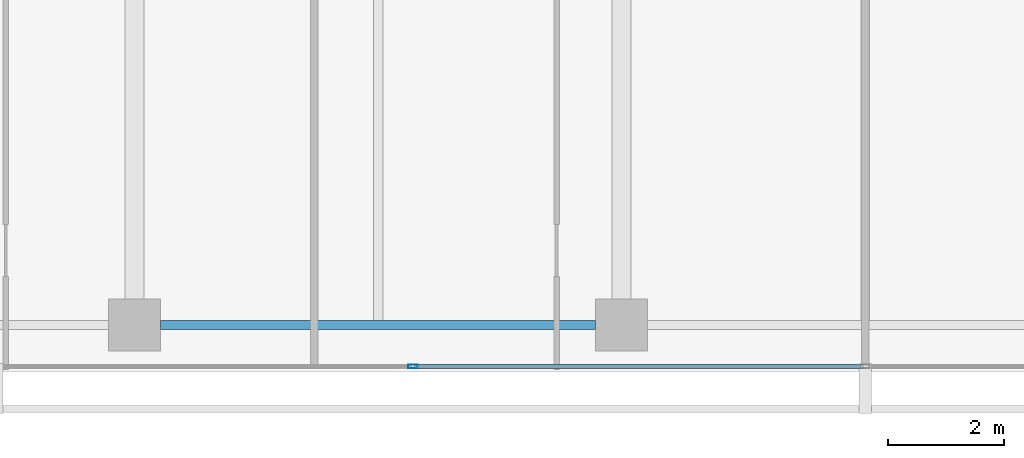
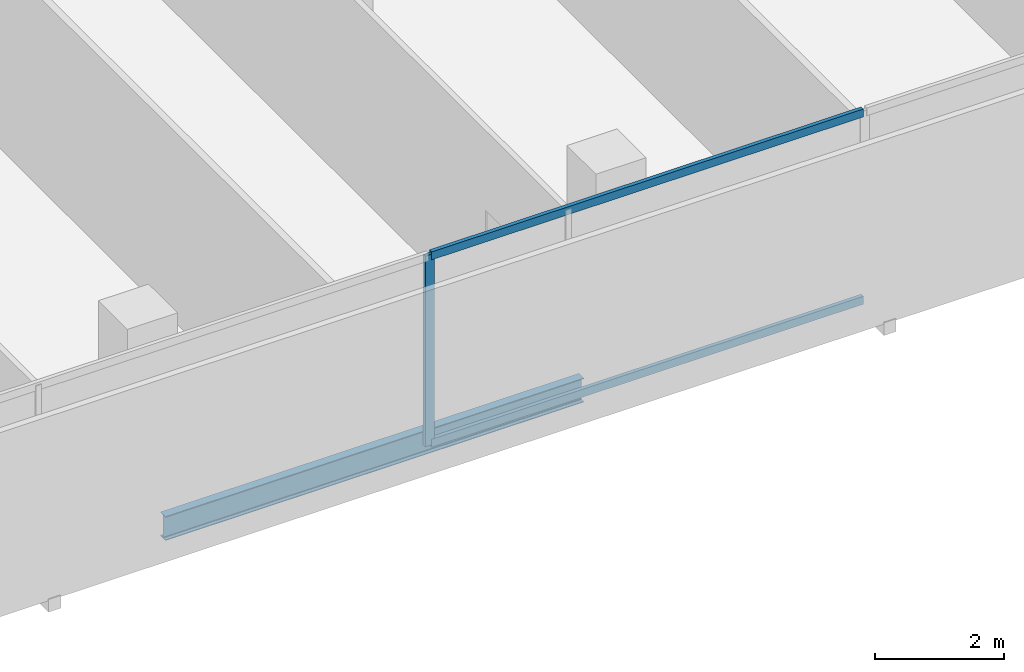
# One storey, part 7 of 40: 3 members, 1 beam, 1 element without a shape of its own.
"""IFC4 building model written with IfcOpenShell, lengths in metres."""

from ifc_helpers import new_model, si_unit, direction, frame, origin, origin_2d, place, context, subcontext, project, spatial, hollow_rectangle, i_section, extrude, material, layer, layer_set, material_profile, profile_set, type_object, element, aggregate, save


model = new_model("IFC4")

# Units and contexts
model_context = context("Model", 3, precision=1e-05, world=origin(), true_north=direction((0.0, 1.0)))
body_context = subcontext(model_context, "Body", "Model", "MODEL_VIEW")
ifc_project = project(units=[si_unit("LENGTHUNIT", "METRE"), si_unit("AREAUNIT", "SQUARE_METRE"), si_unit("VOLUMEUNIT", "CUBIC_METRE"), si_unit("PLANEANGLEUNIT", "RADIAN"), si_unit("MASSUNIT", "GRAM", prefix="KILO")], contexts=[model_context])

# Site, building, storey
site_placement = place(None, origin())
site = spatial("IfcSite", under=ifc_project, at=site_placement, CompositionType="ELEMENT")
building_placement = place(site_placement, origin())
building = spatial("IfcBuilding", under=site, at=building_placement, Name="Maruvema Waterfront Hotel and Observation Tower", CompositionType="ELEMENT")
storey_placement = place(building_placement, frame((0.0, 0.0, 103.949951171875)))
storey = spatial("IfcBuildingStorey", under=building, at=storey_placement, Name="L25", CompositionType="ELEMENT", Elevation=103.949951171875)

# Curtain wall, members
ifc_material_1 = material(Name="Anodised bronze aluminium and solar-control low-E IGU", Category="aluminium")
ifc_layer = layer(ifc_material_1, 0.159912109375, Name="Zone 1 Bronze Inner Thermal Curtain Wall System CW-02")
ifc_layer_set = layer_set([ifc_layer], Name="Anodised bronze aluminium and solar-control low-E IGU")
curtain_wall_type = type_object("IfcCurtainWallType", Name="Zone 1 Bronze Inner Thermal Curtain Wall System CW-02", PredefinedType="USERDEFINED", material=ifc_layer_set)
curtain_wall_placement = place(storey_placement, origin())
curtain_wall = element("IfcCurtainWall", 1, at=curtain_wall_placement, inside=storey, type_object=curtain_wall_type, Name="L25 Curtain Wall CW-L25-S", ObjectType="UNITISED CURTAIN WALL", PredefinedType="USERDEFINED")
ifc_material_2 = material(Name="Anodised architectural bronze aluminium", Category="aluminium")
ifc_material_profile_1 = material_profile(ifc_material_2, hollow_rectangle(XDim=0.070068359375, YDim=0.14990234375, WallThickness=0.00390625, at=origin_2d()), Name="ALU-T70x150")
ifc_profile_set_1 = profile_set([ifc_material_profile_1], Name="Anodised architectural bronze aluminium")
member_type_1 = type_object("IfcMemberType", Name="Curtain Wall Horizontal Transom ALU-T70x150", PredefinedType="USERDEFINED", material=ifc_profile_set_1)
member_1_placement = place(storey_placement, frame((30.030029296875, 0.080078125, 0.030029296875), z_axis=(1.0, 0.0, 0.0), x_axis=(0.0, 1.0, 0.0)))
member_1 = element("IfcMember", 2, at=member_1_placement, type_object=member_type_1, Name="CW-02 transom 3.1", ObjectType="TRANSOM", PredefinedType="USERDEFINED", context=body_context, shape_type="SweptSolid", body=[
    extrude(hollow_rectangle(XDim=0.070068359375, YDim=0.14990234375, WallThickness=0.00390625, at=origin_2d()), origin(), (0.0, 0.0, 1.0), 7.739990234375),
])
member_2_placement = place(storey_placement, frame((30.030029296875, 0.080078125, 3.580078125), z_axis=(1.0, 0.0, 0.0), x_axis=(0.0, 1.0, 0.0)))
member_2 = element("IfcMember", 3, at=member_2_placement, type_object=member_type_1, Name="CW-02 transom 3.2", ObjectType="TRANSOM", PredefinedType="USERDEFINED", context=body_context, shape_type="SweptSolid", body=[
    extrude(hollow_rectangle(XDim=0.070068359375, YDim=0.14990234375, WallThickness=0.00390625, at=origin_2d()), origin(), (0.0, 0.0, 1.0), 7.739990234375),
])
ifc_material_3 = material(Name="Anodised architectural bronze aluminium", Category="aluminium")
ifc_material_profile_2 = material_profile(ifc_material_3, hollow_rectangle(XDim=0.06494140625, YDim=0.1650390625, WallThickness=0.00390625, at=origin_2d()), Name="ALU-M65x165")
ifc_profile_set_2 = profile_set([ifc_material_profile_2], Name="Anodised architectural bronze aluminium")
member_type_2 = type_object("IfcMemberType", Name="Curtain Wall Primary Mullion ALU-M65x165", PredefinedType="MULLION", material=ifc_profile_set_2)
member_3_placement = place(storey_placement, frame((30.0, 0.080078125, 0.0), z_axis=(0.0, 0.0, 1.0), x_axis=(0.0, 1.0, 0.0)))
member_3 = element("IfcMember", 4, at=member_3_placement, type_object=member_type_2, Name="CW-02 mullion 3", PredefinedType="MULLION", context=body_context, shape_type="SweptSolid", body=[
    extrude(hollow_rectangle(XDim=0.06494140625, YDim=0.1650390625, WallThickness=0.00390625, at=origin_2d()), origin(), (0.0, 0.0, 1.0), 3.610107421875),
])
aggregate(curtain_wall, [member_3, member_1, member_2])

# Beam
ifc_material_4 = material(Name="Steel ASTM A572 Grade 50", Category="steel")
ifc_material_profile_3 = material_profile(ifc_material_4, i_section(OverallWidth=0.153076171875, OverallDepth=0.455078125, WebThickness=0.008056640625, FlangeThickness=0.01318359375, FilletRadius=0.014892578125, at=origin_2d()), Name="W460x60.0")
ifc_profile_set_3 = profile_set([ifc_material_profile_3], Name="Steel ASTM A572 Grade 50")
beam_type = type_object("IfcBeamType", Name="Perimeter Spandrel Beam W460x60.0", PredefinedType="SPANDREL", material=ifc_profile_set_3)
beam_placement = place(storey_placement, frame((25.64990234375, 0.800048828125, -0.467529296875), z_axis=(1.0, 0.0, 0.0), x_axis=(0.0, 1.0, 0.0)))
element("IfcBeam", 5, at=beam_placement, inside=storey, type_object=beam_type, Name="L25 Floor Girder EW-02", PredefinedType="SPANDREL", context=body_context, shape_type="SweptSolid", body=[
    extrude(i_section(OverallWidth=0.153076171875, OverallDepth=0.455078125, WebThickness=0.008056640625, FlangeThickness=0.01318359375, FilletRadius=0.014892578125, at=origin_2d()), origin(), (0.0, 0.0, 1.0), 7.5),
])

save(model, "model.ifc")
